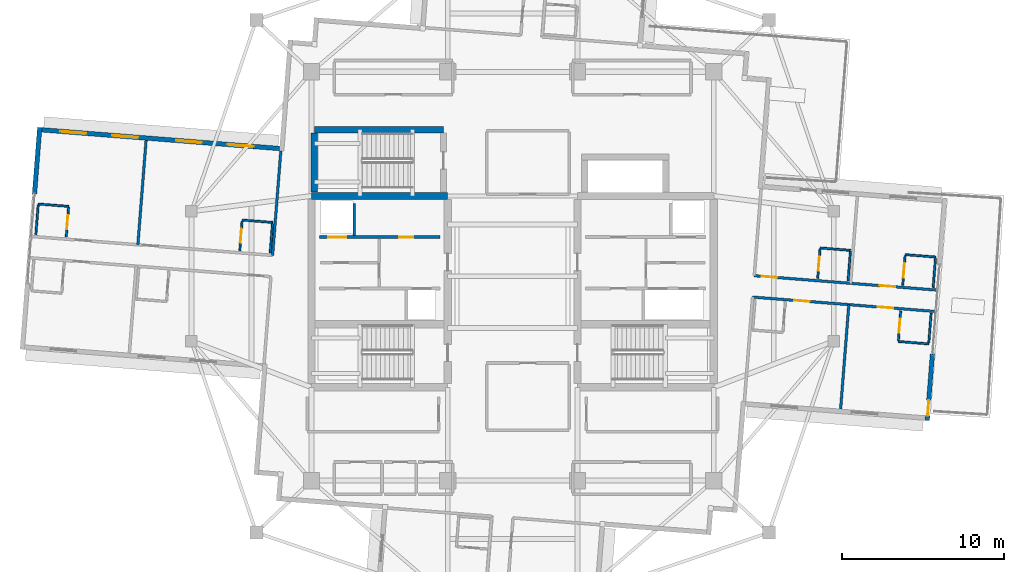
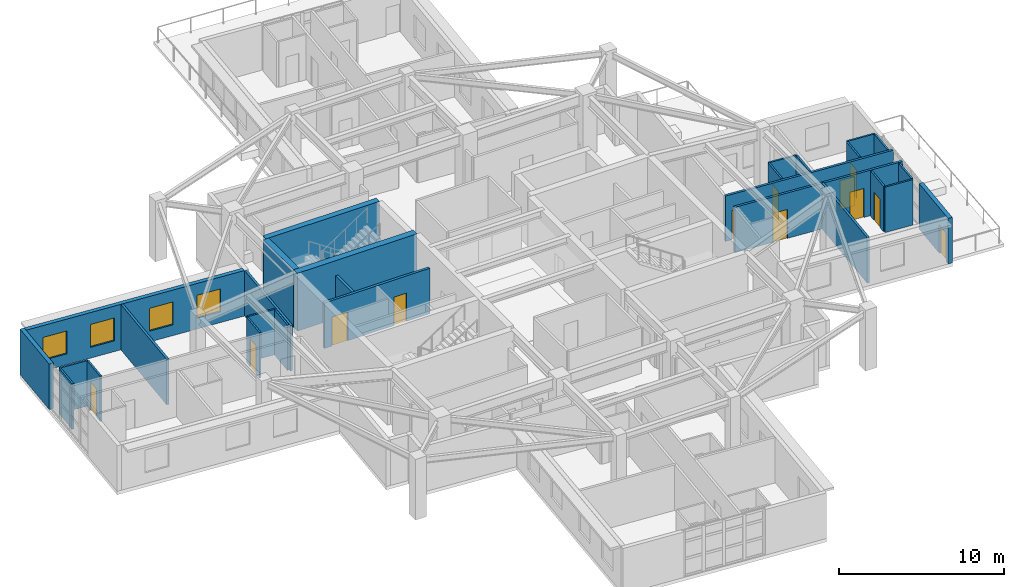
# One storey, part 16 of 23: 28 walls, 12 doors, 4 windows, 16 openings.
"""IFC4 building model written with IfcOpenShell, lengths in metres."""

from ifc_helpers import new_model, si_unit, direction, frame, frame_2d, origin, place, context, subcontext, project, spatial, rectangle, extrude, material, layer, layer_set, type_object, element, fill, save


model = new_model("IFC4")

# Units and contexts
model_context = context("Model", 3, precision=1e-05, world=origin(), true_north=direction((0.0, 1.0)))
body_context = subcontext(model_context, "Body", "Model", "MODEL_VIEW")
ifc_project = project(units=[si_unit("LENGTHUNIT", "METRE"), si_unit("AREAUNIT", "SQUARE_METRE"), si_unit("VOLUMEUNIT", "CUBIC_METRE"), si_unit("PLANEANGLEUNIT", "RADIAN"), si_unit("MASSUNIT", "GRAM", prefix="KILO")], contexts=[model_context])

# Site, building, storey
site_placement = place(None, origin())
site = spatial("IfcSite", under=ifc_project, at=site_placement, CompositionType="ELEMENT")
building_placement = place(site_placement, origin())
building = spatial("IfcBuilding", under=site, at=building_placement, Name="Qingluan Cross Belvedere", CompositionType="ELEMENT")
storey_placement = place(building_placement, frame((0.0, 0.0, 245.39990234375)))
storey = spatial("IfcBuildingStorey", under=building, at=storey_placement, Name="L61", CompositionType="ELEMENT", Elevation=245.39990234375)

# Walls
ifc_material_1 = material(Name="Concrete C50", Category="concrete")
ifc_layer_1 = layer(ifc_material_1, 0.449951171875, Name="CoreShearWall_450")
ifc_layer_set_1 = layer_set([ifc_layer_1], Name="Concrete C50")
wall_type_1 = type_object("IfcWallType", Name="CoreShearWall_450", PredefinedType="SHEAR", material=ifc_layer_set_1)
wall_1_placement = place(storey_placement, frame((-12.39990234375, 4.949951171875, 0.0), z_axis=(0.0, 0.0, 1.0), x_axis=(1.0, 0.0, 0.0)))
element("IfcWall", 1, at=wall_1_placement, inside=storey, type_object=wall_type_1, Name="Split core W shear wall L61-N", PredefinedType="SHEAR", context=body_context, shape_type="SweptSolid", body=[
    extrude(rectangle(XDim=8.39990234375, YDim=0.449951171875, at=frame_2d((4.199951171875, 0.0))), origin(), (0.0, 0.0, 1.0), 4.300048828125),
])
wall_2_placement = place(storey_placement, frame((-12.219970703125, 9.0400390625, 0.0), z_axis=(0.0, 0.0, 1.0), x_axis=(1.0, 0.0, 0.0)))
element("IfcWall", 2, at=wall_2_placement, inside=storey, type_object=wall_type_1, Name="Stair ST3 structural wall N L61", PredefinedType="SHEAR", context=body_context, shape_type="SweptSolid", body=[
    extrude(rectangle(XDim=7.9599609375, YDim=0.39990234375, at=frame_2d((3.97998046875, 0.0))), origin(), (0.0, 0.0, 1.0), 4.300048828125),
])
wall_3_placement = place(storey_placement, frame((-12.219970703125, 5.179931640625, 0.0), z_axis=(0.0, 0.0, 1.0), x_axis=(0.0, 1.0, 0.0)))
element("IfcWall", 3, at=wall_3_placement, inside=storey, type_object=wall_type_1, Name="Stair ST3 structural wall W L61", PredefinedType="SHEAR", context=body_context, shape_type="SweptSolid", body=[
    extrude(rectangle(XDim=3.655029296875, YDim=0.39990234375, at=frame_2d((1.82763671875, 0.0))), origin(), (0.0, 0.0, 1.0), 4.300048828125),
])

# Wall, openings, doors
ifc_material_2 = material(Name="Gypsum plasterboard on steel stud acoustic partition", Category="steel")
ifc_layer_2 = layer(ifc_material_2, 0.159912109375, Name="CorridorPartition_160")
ifc_layer_set_2 = layer_set([ifc_layer_2], Name="Gypsum plasterboard on steel stud acoustic partition")
wall_type_2 = type_object("IfcWallType", Name="CorridorPartition_160", PredefinedType="PARTITIONING", material=ifc_layer_set_2)
wall_4_placement = place(storey_placement, frame((14.8984375, 0.03125, 0.0), z_axis=(0.0, 0.0, 1.0), x_axis=(0.99691574206, -0.078479317235, 0.0)))
wall_4 = element("IfcWall", 4, at=wall_4_placement, inside=storey, type_object=wall_type_2, Name="Partition L61:E:c0", PredefinedType="PARTITIONING", context=body_context, shape_type="SweptSolid", body=[
    extrude(rectangle(XDim=11.329833984375, YDim=0.159912109375, at=frame_2d((5.6650390625, 0.0))), origin(), (0.0, 0.0, 1.0), 3.3701171875),
])
opening_1_placement = place(wall_4_placement, frame((0.449951171875, 0.0, 0.0)))
opening_1 = element("IfcOpeningElement", 5, at=opening_1_placement, cuts=wall_4, Name="Opening GD-10", PredefinedType="OPENING", context=body_context, shape_type="SweptSolid", body=[
    extrude(rectangle(XDim=0.9599609375, YDim=2.14990234375, at=frame_2d((0.47998046875, 1.074951171875))), frame((0.0, 0.08984375, 0.0), z_axis=(0.0, -1.0, 0.0), x_axis=(1.0, 0.0, 0.0)), (0.0, 0.0, 1.0), 0.179931640625),
])
opening_2_placement = place(wall_4_placement, frame((7.743896484375, 0.0, 0.0)))
opening_2 = element("IfcOpeningElement", 6, at=opening_2_placement, cuts=wall_4, Name="Opening GD-10", PredefinedType="OPENING", context=body_context, shape_type="SweptSolid", body=[
    extrude(rectangle(XDim=0.9599609375, YDim=2.14990234375, at=frame_2d((0.47998046875, 1.074951171875))), frame((0.0, 0.08984375, 0.0), z_axis=(0.0, -1.0, 0.0), x_axis=(1.0, 0.0, 0.0)), (0.0, 0.0, 1.0), 0.179931640625),
])
ifc_material_3 = material(Name="Timber oak fire-rated acoustic guestroom door", Category="wood")
door_type_1 = type_object("IfcDoorType", Name="GuestEntryDoor_FD60", OperationType="NOTDEFINED", PredefinedType="DOOR", material=ifc_material_3)
door_1_placement = place(opening_1_placement, origin())
door_1 = element("IfcDoor", 7, at=door_1_placement, inside=storey, type_object=door_type_1, Name="Guest entry fire door 6101", OperationType="SINGLE_SWING_RIGHT", OverallHeight=2.14990234375, OverallWidth=0.9599609375, PredefinedType="DOOR", context=body_context, shape_type="SweptSolid", body=[
    extrude(rectangle(XDim=0.9599609375, YDim=2.14990234375, at=frame_2d((0.47998046875, 1.074951171875))), frame((0.0, 0.02490234375, 0.0), z_axis=(0.0, -1.0, 0.0), x_axis=(1.0, 0.0, 0.0)), (0.0, 0.0, 1.0), 0.050048828125),
])
fill(opening_1, door_1)
door_2_placement = place(opening_2_placement, origin())
door_2 = element("IfcDoor", 8, at=door_2_placement, inside=storey, type_object=door_type_1, Name="Guest entry fire door 6102", OperationType="SINGLE_SWING_RIGHT", OverallHeight=2.14990234375, OverallWidth=0.9599609375, PredefinedType="DOOR", context=body_context, shape_type="SweptSolid", body=[
    extrude(rectangle(XDim=0.9599609375, YDim=2.14990234375, at=frame_2d((0.47998046875, 1.074951171875))), frame((0.0, 0.02490234375, 0.0), z_axis=(0.0, -1.0, 0.0), x_axis=(1.0, 0.0, 0.0)), (0.0, 0.0, 1.0), 0.050048828125),
])
fill(opening_2, door_2)

wall_5_placement = place(storey_placement, frame((14.794921875, -1.28466796875, 0.0), z_axis=(0.0, 0.0, 1.0), x_axis=(0.996917427721, -0.078457901486, 0.0)))
wall_5 = element("IfcWall", 9, at=wall_5_placement, inside=storey, type_object=wall_type_2, Name="Partition L61:E:c1", PredefinedType="PARTITIONING", context=body_context, shape_type="SweptSolid", body=[
    extrude(rectangle(XDim=11.329833984375, YDim=0.159912109375, at=frame_2d((5.6650390625, 0.0))), origin(), (0.0, 0.0, 1.0), 3.3701171875),
])
opening_3_placement = place(wall_5_placement, frame((2.574951171875, 0.0, 0.0)))
opening_3 = element("IfcOpeningElement", 10, at=opening_3_placement, cuts=wall_5, Name="Opening GD-10", PredefinedType="OPENING", context=body_context, shape_type="SweptSolid", body=[
    extrude(rectangle(XDim=0.9599609375, YDim=2.14990234375, at=frame_2d((0.47998046875, 1.074951171875))), frame((0.0, 0.08984375, 0.0), z_axis=(0.0, -1.0, 0.0), x_axis=(1.0, 0.0, 0.0)), (0.0, 0.0, 1.0), 0.179931640625),
])
opening_4_placement = place(wall_5_placement, frame((7.743896484375, 0.0, 0.0)))
opening_4 = element("IfcOpeningElement", 11, at=opening_4_placement, cuts=wall_5, Name="Opening GD-10", PredefinedType="OPENING", context=body_context, shape_type="SweptSolid", body=[
    extrude(rectangle(XDim=0.9599609375, YDim=2.14990234375, at=frame_2d((0.47998046875, 1.074951171875))), frame((0.0, 0.08984375, 0.0), z_axis=(0.0, -1.0, 0.0), x_axis=(1.0, 0.0, 0.0)), (0.0, 0.0, 1.0), 0.179931640625),
])
door_3_placement = place(opening_3_placement, origin())
door_3 = element("IfcDoor", 12, at=door_3_placement, inside=storey, type_object=door_type_1, Name="Guest entry fire door 6103", OperationType="SINGLE_SWING_RIGHT", OverallHeight=2.14990234375, OverallWidth=0.9599609375, PredefinedType="DOOR", context=body_context, shape_type="SweptSolid", body=[
    extrude(rectangle(XDim=0.9599609375, YDim=2.14990234375, at=frame_2d((0.47998046875, 1.074951171875))), frame((0.0, 0.02490234375, 0.0), z_axis=(0.0, -1.0, 0.0), x_axis=(1.0, 0.0, 0.0)), (0.0, 0.0, 1.0), 0.050048828125),
])
fill(opening_3, door_3)
door_4_placement = place(opening_4_placement, origin())
door_4 = element("IfcDoor", 13, at=door_4_placement, inside=storey, type_object=door_type_1, Name="Guest entry fire door 6104", OperationType="SINGLE_SWING_RIGHT", OverallHeight=2.14990234375, OverallWidth=0.9599609375, PredefinedType="DOOR", context=body_context, shape_type="SweptSolid", body=[
    extrude(rectangle(XDim=0.9599609375, YDim=2.14990234375, at=frame_2d((0.47998046875, 1.074951171875))), frame((0.0, 0.02490234375, 0.0), z_axis=(0.0, -1.0, 0.0), x_axis=(1.0, 0.0, 0.0)), (0.0, 0.0, 1.0), 0.050048828125),
])
fill(opening_4, door_4)

# Walls
wall_6_placement = place(storey_placement, frame((20.7265625, -1.751708984375, 0.0), z_axis=(0.0, 0.0, 1.0), x_axis=(-0.07848179331, -0.996915547135, 0.0)))
element("IfcWall", 14, at=wall_6_placement, inside=storey, type_object=wall_type_2, Name="Partition L61:E:d1_0", PredefinedType="PARTITIONING", context=body_context, shape_type="SweptSolid", body=[
    extrude(rectangle(XDim=6.451904296875, YDim=0.159912109375, at=frame_2d((3.22607421875, 0.0))), origin(), (0.0, 0.0, 1.0), 3.3701171875),
])
wall_7_placement = place(storey_placement, frame((-14.794921875, 1.28466796875, 0.0), z_axis=(0.0, 0.0, 1.0), x_axis=(0.078478832769, 0.996915780198, 0.0)))
element("IfcWall", 15, at=wall_7_placement, inside=storey, type_object=wall_type_2, Name="Partition L61:W:s0", PredefinedType="PARTITIONING", context=body_context, shape_type="SweptSolid", body=[
    extrude(rectangle(XDim=6.4521484375, YDim=0.159912109375, at=frame_2d((3.22607421875, 0.0))), origin(), (0.0, 0.0, 1.0), 3.3701171875),
])
wall_8_placement = place(storey_placement, frame((-23.10009765625, 1.9384765625, 0.0), z_axis=(0.0, 0.0, 1.0), x_axis=(0.078441226291, 0.996918739927, 0.0)))
element("IfcWall", 16, at=wall_8_placement, inside=storey, type_object=wall_type_2, Name="Partition L61:W:d0_0", PredefinedType="PARTITIONING", context=body_context, shape_type="SweptSolid", body=[
    extrude(rectangle(XDim=6.451904296875, YDim=0.159912109375, at=frame_2d((3.22607421875, 0.0))), origin(), (0.0, 0.0, 1.0), 3.3701171875),
])

# Wall, opening, door
ifc_material_4 = material(Name="Moisture-resistant gypsum board lining")
ifc_layer_3 = layer(ifc_material_4, 0.1201171875, Name="EnsuiteWetPartition_120")
ifc_layer_set_3 = layer_set([ifc_layer_3], Name="Moisture-resistant gypsum board lining")
wall_type_3 = type_object("IfcWallType", Name="EnsuiteWetPartition_120", PredefinedType="PARTITIONING", material=ifc_layer_set_3)
wall_9_placement = place(storey_placement, frame((18.807373046875, -0.135986328125, 0.0), z_axis=(0.0, 0.0, 1.0), x_axis=(0.0784709492, 0.996916400774, 0.0)))
wall_9 = element("IfcWall", 17, at=wall_9_placement, inside=storey, type_object=wall_type_3, Name="Partition L61:E:bs0_0", PredefinedType="PARTITIONING", context=body_context, shape_type="SweptSolid", body=[
    extrude(rectangle(XDim=1.820068359375, YDim=0.1201171875, at=frame_2d((0.91015625, 0.0))), origin(), (0.0, 0.0, 1.0), 3.3701171875),
])
opening_5_placement = place(wall_9_placement, frame((0.469970703125, 0.0, 0.0)))
opening_5 = element("IfcOpeningElement", 18, at=opening_5_placement, cuts=wall_9, Name="Opening BD-09", PredefinedType="OPENING", context=body_context, shape_type="SweptSolid", body=[
    extrude(rectangle(XDim=0.8798828125, YDim=2.10009765625, at=frame_2d((0.43994140625, 1.050048828125))), frame((0.0, 0.070068359375, 0.0), z_axis=(0.0, -1.0, 0.0), x_axis=(1.0, 0.0, 0.0)), (0.0, 0.0, 1.0), 0.14013671875),
])
ifc_material_5 = material(Name="Moisture-sealed timber en-suite door", Category="wood")
door_type_2 = type_object("IfcDoorType", Name="BathroomDoor_880", OperationType="NOTDEFINED", PredefinedType="DOOR", material=ifc_material_5)
door_5_placement = place(opening_5_placement, origin())
door_5 = element("IfcDoor", 19, at=door_5_placement, inside=storey, type_object=door_type_2, Name="Bathroom door 6101", OperationType="SINGLE_SWING_LEFT", OverallHeight=2.10009765625, OverallWidth=0.8798828125, PredefinedType="DOOR", context=body_context, shape_type="SweptSolid", body=[
    extrude(rectangle(XDim=0.8798828125, YDim=2.10009765625, at=frame_2d((0.43994140625, 1.050048828125))), frame((0.0, 0.02490234375, 0.0), z_axis=(0.0, -1.0, 0.0), x_axis=(1.0, 0.0, 0.0)), (0.0, 0.0, 1.0), 0.050048828125),
])
fill(opening_5, door_5)

# Walls
wall_10_placement = place(storey_placement, frame((20.681396484375, -0.283447265625, 0.0), z_axis=(0.0, 0.0, 1.0), x_axis=(0.0784709492, 0.996916400774, 0.0)))
element("IfcWall", 20, at=wall_10_placement, inside=storey, type_object=wall_type_3, Name="Partition L61:E:bw0_0", PredefinedType="PARTITIONING", context=body_context, shape_type="SweptSolid", body=[
    extrude(rectangle(XDim=1.820068359375, YDim=0.1201171875, at=frame_2d((0.91015625, 0.0))), origin(), (0.0, 0.0, 1.0), 3.3701171875),
])
wall_11_placement = place(storey_placement, frame((18.955078125, 1.7431640625, 0.0), z_axis=(0.0, 0.0, 1.0), x_axis=(0.996919293781, -0.07843418698, 0.0)))
element("IfcWall", 21, at=wall_11_placement, inside=storey, type_object=wall_type_3, Name="Partition L61:E:bn0_0", PredefinedType="PARTITIONING", context=body_context, shape_type="SweptSolid", body=[
    extrude(rectangle(XDim=1.880126953125, YDim=0.1201171875, at=frame_2d((0.93994140625, 0.0))), origin(), (0.0, 0.0, 1.0), 3.3701171875),
])

# Wall, opening, door
wall_12_placement = place(storey_placement, frame((24.051025390625, -0.548583984375, 0.0), z_axis=(0.0, 0.0, 1.0), x_axis=(0.078481444107, 0.996915574626, 0.0)))
wall_12 = element("IfcWall", 22, at=wall_12_placement, inside=storey, type_object=wall_type_3, Name="Partition L61:E:bs0_1", PredefinedType="PARTITIONING", context=body_context, shape_type="SweptSolid", body=[
    extrude(rectangle(XDim=1.81982421875, YDim=0.1201171875, at=frame_2d((0.909912109375, 0.0))), origin(), (0.0, 0.0, 1.0), 3.3701171875),
])
opening_6_placement = place(wall_12_placement, frame((0.469970703125, 0.0, 0.0)))
opening_6 = element("IfcOpeningElement", 23, at=opening_6_placement, cuts=wall_12, Name="Opening BD-09", PredefinedType="OPENING", context=body_context, shape_type="SweptSolid", body=[
    extrude(rectangle(XDim=0.8798828125, YDim=2.10009765625, at=frame_2d((0.43994140625, 1.050048828125))), frame((0.0, 0.070068359375, 0.0), z_axis=(0.0, -1.0, 0.0), x_axis=(1.0, 0.0, 0.0)), (0.0, 0.0, 1.0), 0.14013671875),
])
door_6_placement = place(opening_6_placement, origin())
door_6 = element("IfcDoor", 24, at=door_6_placement, inside=storey, type_object=door_type_2, Name="Bathroom door 6102", OperationType="SINGLE_SWING_LEFT", OverallHeight=2.10009765625, OverallWidth=0.8798828125, PredefinedType="DOOR", context=body_context, shape_type="SweptSolid", body=[
    extrude(rectangle(XDim=0.8798828125, YDim=2.10009765625, at=frame_2d((0.43994140625, 1.050048828125))), frame((0.0, 0.02490234375, 0.0), z_axis=(0.0, -1.0, 0.0), x_axis=(1.0, 0.0, 0.0)), (0.0, 0.0, 1.0), 0.050048828125),
])
fill(opening_6, door_6)

# Walls
wall_13_placement = place(storey_placement, frame((25.92529296875, -0.6962890625, 0.0), z_axis=(0.0, 0.0, 1.0), x_axis=(0.0784709492, 0.996916400774, 0.0)))
element("IfcWall", 25, at=wall_13_placement, inside=storey, type_object=wall_type_3, Name="Partition L61:E:bw0_1", PredefinedType="PARTITIONING", context=body_context, shape_type="SweptSolid", body=[
    extrude(rectangle(XDim=1.820068359375, YDim=0.1201171875, at=frame_2d((0.91015625, 0.0))), origin(), (0.0, 0.0, 1.0), 3.3701171875),
])
wall_14_placement = place(storey_placement, frame((24.198974609375, 1.33056640625, 0.0), z_axis=(0.0, 0.0, 1.0), x_axis=(0.996919293781, -0.07843418698, 0.0)))
element("IfcWall", 26, at=wall_14_placement, inside=storey, type_object=wall_type_3, Name="Partition L61:E:bn0_1", PredefinedType="PARTITIONING", context=body_context, shape_type="SweptSolid", body=[
    extrude(rectangle(XDim=1.880126953125, YDim=0.1201171875, at=frame_2d((0.93994140625, 0.0))), origin(), (0.0, 0.0, 1.0), 3.3701171875),
])

# Wall, opening, door
wall_15_placement = place(storey_placement, frame((23.78271484375, -3.958251953125, 0.0), z_axis=(0.0, 0.0, 1.0), x_axis=(0.0784709492, 0.996916400774, 0.0)))
wall_15 = element("IfcWall", 27, at=wall_15_placement, inside=storey, type_object=wall_type_3, Name="Partition L61:E:bs1_1", PredefinedType="PARTITIONING", context=body_context, shape_type="SweptSolid", body=[
    extrude(rectangle(XDim=1.820068359375, YDim=0.1201171875, at=frame_2d((0.91015625, 0.0))), origin(), (0.0, 0.0, 1.0), 3.3701171875),
])
opening_7_placement = place(wall_15_placement, frame((0.469970703125, 0.0, 0.0)))
opening_7 = element("IfcOpeningElement", 28, at=opening_7_placement, cuts=wall_15, Name="Opening BD-09", PredefinedType="OPENING", context=body_context, shape_type="SweptSolid", body=[
    extrude(rectangle(XDim=0.8798828125, YDim=2.10009765625, at=frame_2d((0.43994140625, 1.050048828125))), frame((0.0, 0.070068359375, 0.0), z_axis=(0.0, -1.0, 0.0), x_axis=(1.0, 0.0, 0.0)), (0.0, 0.0, 1.0), 0.14013671875),
])
door_7_placement = place(opening_7_placement, origin())
door_7 = element("IfcDoor", 29, at=door_7_placement, inside=storey, type_object=door_type_2, Name="Bathroom door 6104", OperationType="SINGLE_SWING_LEFT", OverallHeight=2.10009765625, OverallWidth=0.8798828125, PredefinedType="DOOR", context=body_context, shape_type="SweptSolid", body=[
    extrude(rectangle(XDim=0.8798828125, YDim=2.10009765625, at=frame_2d((0.43994140625, 1.050048828125))), frame((0.0, 0.02490234375, 0.0), z_axis=(0.0, -1.0, 0.0), x_axis=(1.0, 0.0, 0.0)), (0.0, 0.0, 1.0), 0.050048828125),
])
fill(opening_7, door_7)

# Walls
wall_16_placement = place(storey_placement, frame((25.656982421875, -4.105712890625, 0.0), z_axis=(0.0, 0.0, 1.0), x_axis=(0.0784709492, 0.996916400774, 0.0)))
element("IfcWall", 30, at=wall_16_placement, inside=storey, type_object=wall_type_3, Name="Partition L61:E:bw1_1", PredefinedType="PARTITIONING", context=body_context, shape_type="SweptSolid", body=[
    extrude(rectangle(XDim=1.820068359375, YDim=0.1201171875, at=frame_2d((0.91015625, 0.0))), origin(), (0.0, 0.0, 1.0), 3.3701171875),
])
wall_17_placement = place(storey_placement, frame((23.777587890625, -4.02294921875, 0.0), z_axis=(0.0, 0.0, 1.0), x_axis=(0.996919293781, -0.07843418698, 0.0)))
element("IfcWall", 31, at=wall_17_placement, inside=storey, type_object=wall_type_3, Name="Partition L61:E:bc1_1", PredefinedType="PARTITIONING", context=body_context, shape_type="SweptSolid", body=[
    extrude(rectangle(XDim=1.880126953125, YDim=0.1201171875, at=frame_2d((0.93994140625, 0.0))), origin(), (0.0, 0.0, 1.0), 3.3701171875),
])

# Wall, opening, door
wall_18_placement = place(storey_placement, frame((-16.8173828125, 1.58447265625, 0.0), z_axis=(0.0, 0.0, 1.0), x_axis=(0.078348112001, 0.996926062126, 0.0)))
wall_18 = element("IfcWall", 32, at=wall_18_placement, inside=storey, type_object=wall_type_3, Name="Partition L61:W:bs0_0", PredefinedType="PARTITIONING", context=body_context, shape_type="SweptSolid", body=[
    extrude(rectangle(XDim=1.81982421875, YDim=0.1201171875, at=frame_2d((0.909912109375, 0.0))), origin(), (0.0, 0.0, 1.0), 3.3701171875),
])
opening_8_placement = place(wall_18_placement, frame((0.469970703125, 0.0, 0.0)))
opening_8 = element("IfcOpeningElement", 33, at=opening_8_placement, cuts=wall_18, Name="Opening BD-09", PredefinedType="OPENING", context=body_context, shape_type="SweptSolid", body=[
    extrude(rectangle(XDim=0.8798828125, YDim=2.10009765625, at=frame_2d((0.43994140625, 1.050048828125))), frame((0.0, 0.070068359375, 0.0), z_axis=(0.0, -1.0, 0.0), x_axis=(1.0, 0.0, 0.0)), (0.0, 0.0, 1.0), 0.14013671875),
])
door_8_placement = place(opening_8_placement, origin())
door_8 = element("IfcDoor", 34, at=door_8_placement, inside=storey, type_object=door_type_2, Name="Bathroom door 6105", OperationType="SINGLE_SWING_LEFT", OverallHeight=2.10009765625, OverallWidth=0.8798828125, PredefinedType="DOOR", context=body_context, shape_type="SweptSolid", body=[
    extrude(rectangle(XDim=0.8798828125, YDim=2.10009765625, at=frame_2d((0.43994140625, 1.050048828125))), frame((0.0, 0.02490234375, 0.0), z_axis=(0.0, -1.0, 0.0), x_axis=(1.0, 0.0, 0.0)), (0.0, 0.0, 1.0), 0.050048828125),
])
fill(opening_8, door_8)

# Walls
wall_19_placement = place(storey_placement, frame((-14.943359375, 1.43701171875, 0.0), z_axis=(0.0, 0.0, 1.0), x_axis=(0.078481444107, 0.996915574626, 0.0)))
element("IfcWall", 35, at=wall_19_placement, inside=storey, type_object=wall_type_3, Name="Partition L61:W:bw0_0", PredefinedType="PARTITIONING", context=body_context, shape_type="SweptSolid", body=[
    extrude(rectangle(XDim=1.81982421875, YDim=0.1201171875, at=frame_2d((0.909912109375, 0.0))), origin(), (0.0, 0.0, 1.0), 3.3701171875),
])
wall_20_placement = place(storey_placement, frame((-14.79541015625, 3.316162109375, 0.0), z_axis=(0.0, 0.0, 1.0), x_axis=(-0.996919293781, 0.07843418698, 0.0)))
element("IfcWall", 36, at=wall_20_placement, inside=storey, type_object=wall_type_3, Name="Partition L61:W:bn0_0", PredefinedType="PARTITIONING", context=body_context, shape_type="SweptSolid", body=[
    extrude(rectangle(XDim=1.880126953125, YDim=0.1201171875, at=frame_2d((0.93994140625, 0.0))), origin(), (0.0, 0.0, 1.0), 3.3701171875),
])

# Wall, opening, door
wall_21_placement = place(storey_placement, frame((-27.514404296875, 2.42626953125, 0.0), z_axis=(0.0, 0.0, 1.0), x_axis=(0.078481444107, 0.996915574626, 0.0)))
wall_21 = element("IfcWall", 37, at=wall_21_placement, inside=storey, type_object=wall_type_3, Name="Partition L61:W:bs0_1", PredefinedType="PARTITIONING", context=body_context, shape_type="SweptSolid", body=[
    extrude(rectangle(XDim=1.81982421875, YDim=0.1201171875, at=frame_2d((0.909912109375, 0.0))), origin(), (0.0, 0.0, 1.0), 3.3701171875),
])
opening_9_placement = place(wall_21_placement, frame((0.469970703125, 0.0, 0.0)))
opening_9 = element("IfcOpeningElement", 38, at=opening_9_placement, cuts=wall_21, Name="Opening BD-09", PredefinedType="OPENING", context=body_context, shape_type="SweptSolid", body=[
    extrude(rectangle(XDim=0.8798828125, YDim=2.10009765625, at=frame_2d((0.43994140625, 1.050048828125))), frame((0.0, 0.070068359375, 0.0), z_axis=(0.0, -1.0, 0.0), x_axis=(1.0, 0.0, 0.0)), (0.0, 0.0, 1.0), 0.14013671875),
])
door_9_placement = place(opening_9_placement, origin())
door_9 = element("IfcDoor", 39, at=door_9_placement, inside=storey, type_object=door_type_2, Name="Bathroom door 6106", OperationType="SINGLE_SWING_LEFT", OverallHeight=2.10009765625, OverallWidth=0.8798828125, PredefinedType="DOOR", context=body_context, shape_type="SweptSolid", body=[
    extrude(rectangle(XDim=0.8798828125, YDim=2.10009765625, at=frame_2d((0.43994140625, 1.050048828125))), frame((0.0, 0.02490234375, 0.0), z_axis=(0.0, -1.0, 0.0), x_axis=(1.0, 0.0, 0.0)), (0.0, 0.0, 1.0), 0.050048828125),
])
fill(opening_9, door_9)

# Walls
wall_22_placement = place(storey_placement, frame((-29.388671875, 2.57373046875, 0.0), z_axis=(0.0, 0.0, 1.0), x_axis=(0.0784709492, 0.996916400774, 0.0)))
element("IfcWall", 40, at=wall_22_placement, inside=storey, type_object=wall_type_3, Name="Partition L61:W:bw0_1", PredefinedType="PARTITIONING", context=body_context, shape_type="SweptSolid", body=[
    extrude(rectangle(XDim=1.820068359375, YDim=0.1201171875, at=frame_2d((0.91015625, 0.0))), origin(), (0.0, 0.0, 1.0), 3.3701171875),
])
wall_23_placement = place(storey_placement, frame((-27.36669921875, 4.305419921875, 0.0), z_axis=(0.0, 0.0, 1.0), x_axis=(-0.99691849475, 0.078444342213, 0.0)))
element("IfcWall", 41, at=wall_23_placement, inside=storey, type_object=wall_type_3, Name="Partition L61:W:bn0_1", PredefinedType="PARTITIONING", context=body_context, shape_type="SweptSolid", body=[
    extrude(rectangle(XDim=1.8798828125, YDim=0.1201171875, at=frame_2d((0.93994140625, 0.0))), origin(), (0.0, 0.0, 1.0), 3.3701171875),
])

# Wall, opening, door
ifc_material_6 = material(Name="Precast concrete C45", Category="concrete")
ifc_layer_4 = layer(ifc_material_6, 0.280029296875, Name="PrecastFacadeWall_280")
ifc_layer_set_4 = layer_set([ifc_layer_4], Name="Precast concrete C45")
wall_type_4 = type_object("IfcWallType", Name="PrecastFacadeWall_280", PredefinedType="STANDARD", material=ifc_layer_set_4)
wall_24_placement = place(storey_placement, frame((25.56103515625, -8.892822265625, 0.0), z_axis=(0.0, 0.0, 1.0), x_axis=(0.078474447191, 0.996916125428, 0.0)))
wall_24 = element("IfcWall", 42, at=wall_24_placement, inside=storey, type_object=wall_type_4, Name="Terrace portal jamb wall L61-E1", PredefinedType="STANDARD", context=body_context, shape_type="SweptSolid", body=[
    extrude(rectangle(XDim=4.115966796875, YDim=0.280029296875, at=frame_2d((2.05810546875, 0.0))), origin(), (0.0, 0.0, 1.0), 3.380126953125),
])
opening_10_placement = place(wall_24_placement, frame((0.300048828125, 0.0, 0.0)))
opening_10 = element("IfcOpeningElement", 43, at=opening_10_placement, cuts=wall_24, Name="Opening TD-10", PredefinedType="OPENING", context=body_context, shape_type="SweptSolid", body=[
    extrude(rectangle(XDim=0.9599609375, YDim=2.10009765625, at=frame_2d((0.47998046875, 1.050048828125))), frame((0.0, 0.14990234375, 0.0), z_axis=(0.0, -1.0, 0.0), x_axis=(1.0, 0.0, 0.0)), (0.0, 0.0, 1.0), 0.300048828125),
])
ifc_material_7 = material(Name="Thermally broken aluminium and Low-E glass", Category="aluminium")
door_type_3 = type_object("IfcDoorType", Name="SetbackTerraceDoor_096", OperationType="NOTDEFINED", PredefinedType="DOOR", material=ifc_material_7)
door_10_placement = place(opening_10_placement, origin())
door_10 = element("IfcDoor", 44, at=door_10_placement, inside=storey, type_object=door_type_3, Name="Outdoor terrace access door L61-set1", OperationType="SINGLE_SWING_RIGHT", OverallHeight=2.10009765625, OverallWidth=0.9599609375, PredefinedType="DOOR", context=body_context, shape_type="SweptSolid", body=[
    extrude(rectangle(XDim=0.9599609375, YDim=2.10009765625, at=frame_2d((0.47998046875, 1.050048828125))), frame((0.0, 0.02490234375, 0.0), z_axis=(0.0, -1.0, 0.0), x_axis=(1.0, 0.0, 0.0)), (0.0, 0.0, 1.0), 0.050048828125),
])
fill(opening_10, door_10)

# Wall, openings, windows
wall_25_placement = place(storey_placement, frame((-14.36669921875, 7.87158203125, 0.0), z_axis=(0.0, 0.0, 1.0), x_axis=(-0.996917526837, 0.078456642068, 0.0)))
wall_25 = element("IfcWall", 45, at=wall_25_placement, inside=storey, type_object=wall_type_4, Name="Facade wall L61-WA", PredefinedType="STANDARD", context=body_context, shape_type="SweptSolid", body=[
    extrude(rectangle(XDim=14.7001953125, YDim=0.280029296875, at=frame_2d((7.35009765625, 0.0))), origin(), (0.0, 0.0, 1.0), 3.380126953125),
])
opening_11_placement = place(wall_25_placement, frame((1.60009765625, 0.0, 0.800048828125)))
opening_11 = element("IfcOpeningElement", 46, at=opening_11_placement, cuts=wall_25, Name="Opening W-04", PredefinedType="OPENING", context=body_context, shape_type="SweptSolid", body=[
    extrude(rectangle(XDim=1.60009765625, YDim=1.699951171875, at=frame_2d((0.800048828125, 0.85009765625))), frame((0.0, 0.14990234375, 0.0), z_axis=(0.0, -1.0, 0.0), x_axis=(1.0, 0.0, 0.0)), (0.0, 0.0, 1.0), 0.300048828125),
])
opening_12_placement = place(wall_25_placement, frame((4.800048828125, 0.0, 0.800048828125)))
opening_12 = element("IfcOpeningElement", 47, at=opening_12_placement, cuts=wall_25, Name="Opening W-04", PredefinedType="OPENING", context=body_context, shape_type="SweptSolid", body=[
    extrude(rectangle(XDim=1.60009765625, YDim=1.699951171875, at=frame_2d((0.800048828125, 0.85009765625))), frame((0.0, 0.14990234375, 0.0), z_axis=(0.0, -1.0, 0.0), x_axis=(1.0, 0.0, 0.0)), (0.0, 0.0, 1.0), 0.300048828125),
])
opening_13_placement = place(wall_25_placement, frame((8.75, 0.0, 0.800048828125)))
opening_13 = element("IfcOpeningElement", 48, at=opening_13_placement, cuts=wall_25, Name="Opening W-04", PredefinedType="OPENING", context=body_context, shape_type="SweptSolid", body=[
    extrude(rectangle(XDim=1.60009765625, YDim=1.699951171875, at=frame_2d((0.800048828125, 0.85009765625))), frame((0.0, 0.14990234375, 0.0), z_axis=(0.0, -1.0, 0.0), x_axis=(1.0, 0.0, 0.0)), (0.0, 0.0, 1.0), 0.300048828125),
])
opening_14_placement = place(wall_25_placement, frame((11.949951171875, 0.0, 0.800048828125)))
opening_14 = element("IfcOpeningElement", 49, at=opening_14_placement, cuts=wall_25, Name="Opening W-04", PredefinedType="OPENING", context=body_context, shape_type="SweptSolid", body=[
    extrude(rectangle(XDim=1.60009765625, YDim=1.699951171875, at=frame_2d((0.800048828125, 0.85009765625))), frame((0.0, 0.14990234375, 0.0), z_axis=(0.0, -1.0, 0.0), x_axis=(1.0, 0.0, 0.0)), (0.0, 0.0, 1.0), 0.300048828125),
])
ifc_material_8 = material(Name="Thermally broken triple Low-E glass in aluminium frame", Category="aluminium")
window_type = type_object("IfcWindowType", Name="SuiteCornerWin_1600x1700", PartitioningType="SINGLE_PANEL", PredefinedType="WINDOW", material=ifc_material_8)
window_1_placement = place(opening_11_placement, origin())
window_1 = element("IfcWindow", 50, at=window_1_placement, inside=storey, type_object=window_type, Name="Ribbon window L61-WA-1", OverallHeight=1.699951171875, OverallWidth=1.60009765625, PartitioningType="SINGLE_PANEL", PredefinedType="WINDOW", context=body_context, shape_type="SweptSolid", body=[
    extrude(rectangle(XDim=1.60009765625, YDim=1.699951171875, at=frame_2d((0.800048828125, 0.85009765625))), frame((0.0, 0.030029296875, 0.0), z_axis=(0.0, -1.0, 0.0), x_axis=(1.0, 0.0, 0.0)), (0.0, 0.0, 1.0), 0.06005859375),
])
fill(opening_11, window_1)
window_2_placement = place(opening_12_placement, origin())
window_2 = element("IfcWindow", 51, at=window_2_placement, inside=storey, type_object=window_type, Name="Ribbon window L61-WA-2", OverallHeight=1.699951171875, OverallWidth=1.60009765625, PartitioningType="SINGLE_PANEL", PredefinedType="WINDOW", context=body_context, shape_type="SweptSolid", body=[
    extrude(rectangle(XDim=1.60009765625, YDim=1.699951171875, at=frame_2d((0.800048828125, 0.85009765625))), frame((0.0, 0.030029296875, 0.0), z_axis=(0.0, -1.0, 0.0), x_axis=(1.0, 0.0, 0.0)), (0.0, 0.0, 1.0), 0.06005859375),
])
fill(opening_12, window_2)
window_3_placement = place(opening_13_placement, origin())
window_3 = element("IfcWindow", 52, at=window_3_placement, inside=storey, type_object=window_type, Name="Ribbon window L61-WA-3", OverallHeight=1.699951171875, OverallWidth=1.60009765625, PartitioningType="SINGLE_PANEL", PredefinedType="WINDOW", context=body_context, shape_type="SweptSolid", body=[
    extrude(rectangle(XDim=1.60009765625, YDim=1.699951171875, at=frame_2d((0.800048828125, 0.85009765625))), frame((0.0, 0.030029296875, 0.0), z_axis=(0.0, -1.0, 0.0), x_axis=(1.0, 0.0, 0.0)), (0.0, 0.0, 1.0), 0.06005859375),
])
fill(opening_13, window_3)
window_4_placement = place(opening_14_placement, origin())
window_4 = element("IfcWindow", 53, at=window_4_placement, inside=storey, type_object=window_type, Name="Ribbon window L61-WA-4", OverallHeight=1.699951171875, OverallWidth=1.60009765625, PartitioningType="SINGLE_PANEL", PredefinedType="WINDOW", context=body_context, shape_type="SweptSolid", body=[
    extrude(rectangle(XDim=1.60009765625, YDim=1.699951171875, at=frame_2d((0.800048828125, 0.85009765625))), frame((0.0, 0.030029296875, 0.0), z_axis=(0.0, -1.0, 0.0), x_axis=(1.0, 0.0, 0.0)), (0.0, 0.0, 1.0), 0.06005859375),
])
fill(opening_14, window_4)

# Wall
wall_26_placement = place(storey_placement, frame((-29.14990234375, 9.17529296875, 0.0), z_axis=(0.0, 0.0, 1.0), x_axis=(-0.078474447191, -0.996916125428, 0.0)))
element("IfcWall", 54, at=wall_26_placement, inside=storey, type_object=wall_type_4, Name="Terrace portal jamb wall L61-W1", PredefinedType="STANDARD", context=body_context, shape_type="SweptSolid", body=[
    extrude(rectangle(XDim=4.115966796875, YDim=0.280029296875, at=frame_2d((2.05810546875, 0.0))), origin(), (0.0, 0.0, 1.0), 3.380126953125),
])

# Wall, openings, doors
ifc_material_9 = material(Name="Concrete C40", Category="concrete")
ifc_layer_5 = layer(ifc_material_9, 0.219970703125, Name="ShaftEnclosureWall_250")
ifc_layer_set_5 = layer_set([ifc_layer_5], Name="Concrete C40")
wall_type_5 = type_object("IfcWallType", Name="ShaftEnclosureWall_250", PredefinedType="SOLIDWALL", material=ifc_layer_set_5)
wall_27_placement = place(storey_placement, frame((-11.89990234375, 2.409912109375, 0.0), z_axis=(0.0, 0.0, 1.0), x_axis=(1.0, 0.0, 0.0)))
wall_27 = element("IfcWall", 55, at=wall_27_placement, inside=storey, type_object=wall_type_5, Name="Core-W north hoistway wall L61", PredefinedType="SOLIDWALL", context=body_context, shape_type="SweptSolid", body=[
    extrude(rectangle(XDim=7.419921875, YDim=0.179931640625, at=frame_2d((3.7099609375, 0.0))), origin(), (0.0, 0.0, 1.0), 3.3701171875),
])
opening_15_placement = place(wall_27_placement, frame((0.550048828125, 0.0, 0.0)))
opening_15 = element("IfcOpeningElement", 56, at=opening_15_placement, cuts=wall_27, Name="Opening LD-11", PredefinedType="OPENING", context=body_context, shape_type="SweptSolid", body=[
    extrude(rectangle(XDim=1.10009765625, YDim=2.14990234375, at=frame_2d((0.550048828125, 1.074951171875))), frame((0.0, 0.099853515625, 0.0), z_axis=(0.0, -1.0, 0.0), x_axis=(1.0, 0.0, 0.0)), (0.0, 0.0, 1.0), 0.199951171875),
])
opening_16_placement = place(wall_27_placement, frame((4.89990234375, 0.0, 0.0)))
opening_16 = element("IfcOpeningElement", 57, at=opening_16_placement, cuts=wall_27, Name="Opening FD-B10", PredefinedType="OPENING", context=body_context, shape_type="SweptSolid", body=[
    extrude(rectangle(XDim=0.8798828125, YDim=2.10009765625, at=frame_2d((0.43994140625, 1.050048828125))), frame((0.0, 0.099853515625, 0.0), z_axis=(0.0, -1.0, 0.0), x_axis=(1.0, 0.0, 0.0)), (0.0, 0.0, 1.0), 0.199951171875),
])
ifc_material_10 = material(Name="Brushed stainless steel centre-opening lift landing door", Category="steel")
door_type_4 = type_object("IfcDoorType", Name="LiftLandingSlidingDoor_1100", OperationType="DOUBLE_DOOR_SLIDING", PredefinedType="DOOR", material=ifc_material_10)
door_11_placement = place(opening_15_placement, origin())
door_11 = element("IfcDoor", 58, at=door_11_placement, inside=storey, type_object=door_type_4, Name="Lift landing sliding door FL1 L61", OperationType="DOUBLE_DOOR_SLIDING", OverallHeight=2.14990234375, OverallWidth=1.10009765625, PredefinedType="DOOR", context=body_context, shape_type="SweptSolid", body=[
    extrude(rectangle(XDim=1.10009765625, YDim=2.14990234375, at=frame_2d((0.550048828125, 1.074951171875))), frame((0.0, 0.02490234375, 0.0), z_axis=(0.0, -1.0, 0.0), x_axis=(1.0, 0.0, 0.0)), (0.0, 0.0, 1.0), 0.050048828125),
])
fill(opening_15, door_11)
ifc_material_11 = material(Name="Steel Class B service fire door", Category="steel")
door_type_5 = type_object("IfcDoorType", Name="RiserServiceFireDoor_FDB", OperationType="NOTDEFINED", PredefinedType="DOOR", material=ifc_material_11)
door_12_placement = place(opening_16_placement, origin())
door_12 = element("IfcDoor", 59, at=door_12_placement, inside=storey, type_object=door_type_5, Name="Housekeeping supply room door W L61", OperationType="SINGLE_SWING_RIGHT", OverallHeight=2.10009765625, OverallWidth=0.8798828125, PredefinedType="DOOR", context=body_context, shape_type="SweptSolid", body=[
    extrude(rectangle(XDim=0.8798828125, YDim=2.10009765625, at=frame_2d((0.43994140625, 1.050048828125))), frame((0.0, 0.02490234375, 0.0), z_axis=(0.0, -1.0, 0.0), x_axis=(1.0, 0.0, 0.0)), (0.0, 0.0, 1.0), 0.050048828125),
])
fill(opening_16, door_12)

# Wall
wall_28_placement = place(storey_placement, frame((-9.760009765625, 2.5, 0.0), z_axis=(0.0, 0.0, 1.0), x_axis=(0.0, 1.0, 0.0)))
element("IfcWall", 60, at=wall_28_placement, inside=storey, type_object=wall_type_5, Name="Hoistway enclosure divider FL1E L61", PredefinedType="SOLIDWALL", context=body_context, shape_type="SweptSolid", body=[
    extrude(rectangle(XDim=1.989990234375, YDim=0.179931640625, at=frame_2d((0.9951171875, 0.0))), origin(), (0.0, 0.0, 1.0), 3.3701171875),
])

save(model, "model.ifc")
